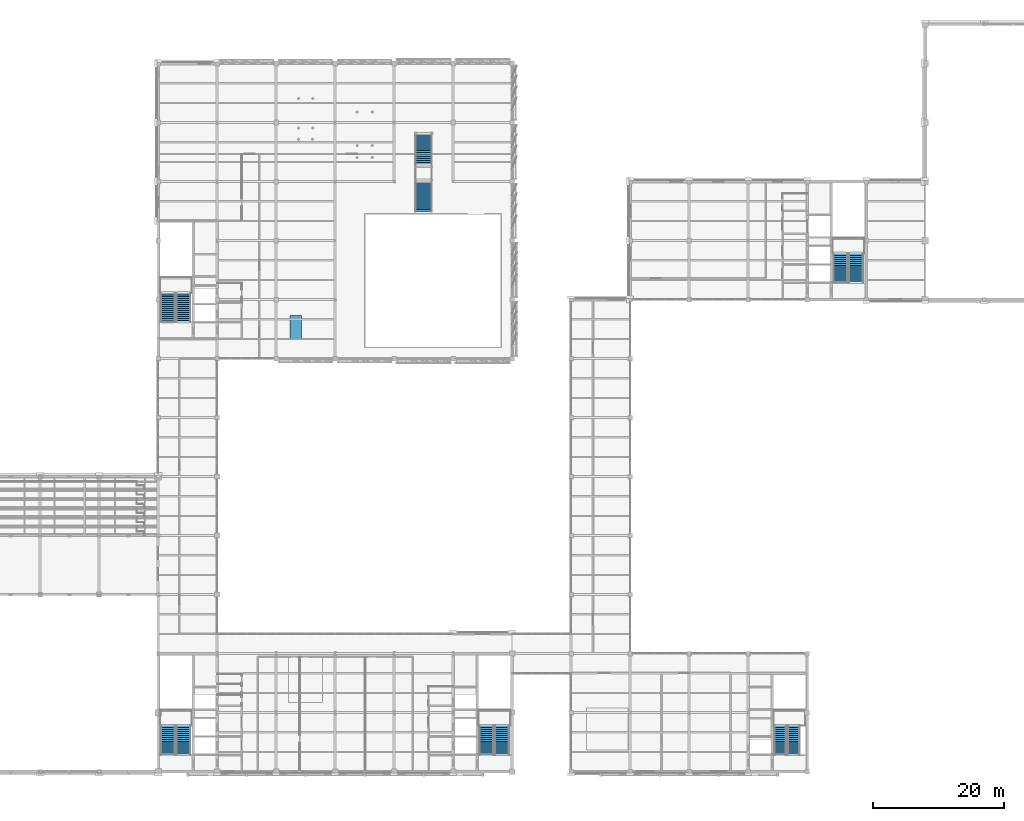
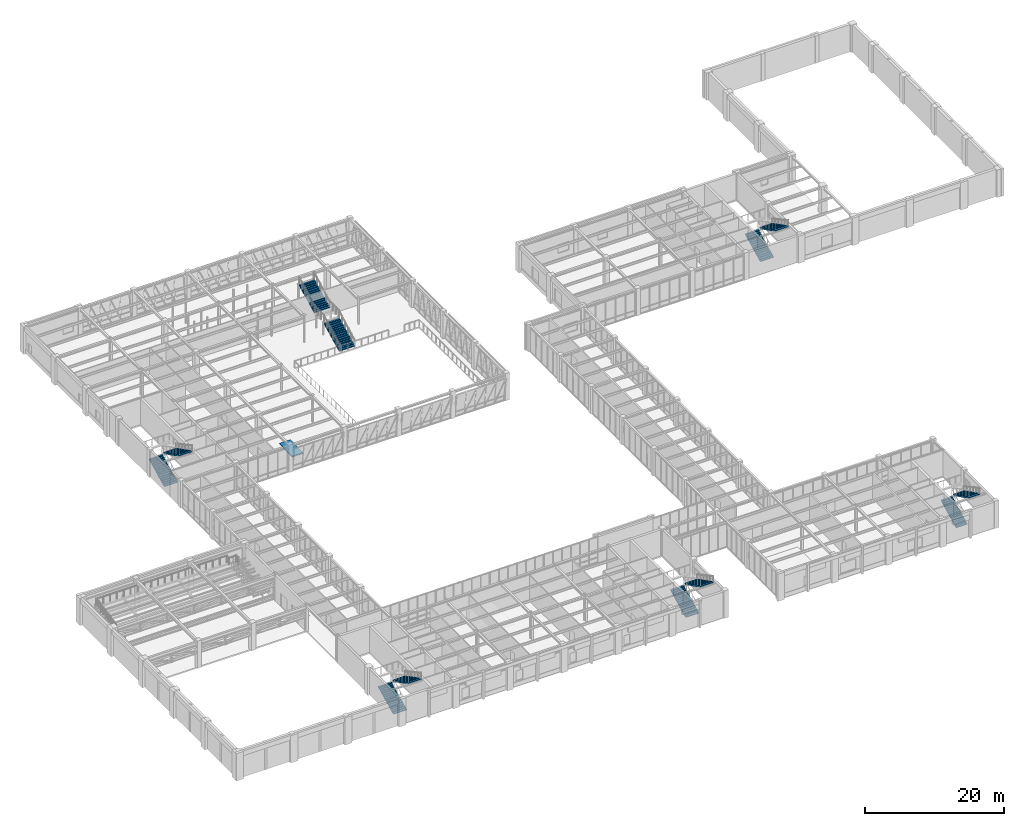
# One storey, part 87 of 92: 12 stair flights, 1 ramp flight, 7 elements without a shape of their own.
"""IFC4 building model written with IfcOpenShell, lengths in metres."""

from ifc_helpers import new_model, si_unit, direction, frame, origin, place, context, subcontext, project, spatial, polyline, outline, extrude, material, layer, layer_set, type_object, element, aggregate, save


model = new_model("IFC4")

# Units and contexts
model_context = context("Model", 3, precision=1e-05, world=origin(), true_north=direction((0.0, 1.0)))
body_context = subcontext(model_context, "Body", "Model", "MODEL_VIEW")
ifc_project = project(units=[si_unit("LENGTHUNIT", "METRE"), si_unit("AREAUNIT", "SQUARE_METRE"), si_unit("VOLUMEUNIT", "CUBIC_METRE"), si_unit("PLANEANGLEUNIT", "RADIAN"), si_unit("MASSUNIT", "GRAM", prefix="KILO")], contexts=[model_context])

# Site, building, storey
site_placement = place(None, origin())
site = spatial("IfcSite", under=ifc_project, at=site_placement, CompositionType="ELEMENT")
building_placement = place(site_placement, origin())
building = spatial("IfcBuilding", under=site, at=building_placement, Name="Lykobir Media Centre", CompositionType="ELEMENT")
storey_placement = place(building_placement, frame((0.0, 0.0, 5.39990234375)))
storey = spatial("IfcBuildingStorey", under=building, at=storey_placement, Name="L01", CompositionType="ELEMENT", Elevation=5.39990234375)

# Stair, stair flights
ifc_material = material(Name="Concrete C30/37", Category="concrete")
stair_type_1 = type_object("IfcStairType", Name="ST-AUX-480", PredefinedType="HALF_TURN_STAIR", material=ifc_material)
stair_1_placement = place(storey_placement, origin())
stair_1 = element("IfcStair", 1, at=stair_1_placement, inside=storey, type_object=stair_type_1, Name="Escape stair ST-5 L01", PredefinedType="HALF_TURN_STAIR")
ifc_layer_1 = layer(ifc_material, 0.159912109375, Name="Concrete C30/37")
ifc_layer_set_1 = layer_set([ifc_layer_1], Name="Concrete C30/37")
stair_flight_type_1 = type_object("IfcStairFlightType", Name="FL-185-16", PredefinedType="STRAIGHT", material=ifc_layer_set_1)
stair_flight_1_placement = place(storey_placement, frame((121.89501953125, 2.530029296875, 0.0), z_axis=(0.0, 0.0, 1.0), x_axis=(0.0, 1.0, 0.0)))
stair_flight_1 = element("IfcStairFlight", 2, at=stair_flight_1_placement, type_object=stair_flight_type_1, Name="ST-5-L01 flight 1", NumberOfRisers=16, NumberOfTreads=15, PredefinedType="STRAIGHT", RiserHeight=0.15, TreadLength=0.3, context=body_context, shape_type="SweptSolid", body=[
    extrude(outline(polyline([(0.0, 0.0), (0.0, 0.14990234375), (0.300048828125, 0.14990234375), (0.300048828125, 0.300048828125), (0.60009765625, 0.300048828125), (0.60009765625, 0.449951171875), (0.89990234375, 0.449951171875), (0.89990234375, 0.60009765625), (1.199951171875, 0.60009765625), (1.199951171875, 0.75), (1.5, 0.75), (1.5, 0.89990234375), (1.800048828125, 0.89990234375), (1.800048828125, 1.050048828125), (2.10009765625, 1.050048828125), (2.10009765625, 1.199951171875), (2.39990234375, 1.199951171875), (2.39990234375, 1.35009765625), (2.699951171875, 1.35009765625), (2.699951171875, 1.5), (3.0, 1.5), (3.0, 1.64990234375), (3.300048828125, 1.64990234375), (3.300048828125, 1.800048828125), (3.60009765625, 1.800048828125), (3.60009765625, 1.949951171875), (3.89990234375, 1.949951171875), (3.89990234375, 2.10009765625), (4.199951171875, 2.10009765625), (4.199951171875, 2.25), (4.5, 2.25), (4.5, 2.39990234375), (4.5, 2.0712890625), (0.357666015625, 0.0), (0.0, 0.0)])), frame((0.0, 0.925048828125, 0.0), z_axis=(0.0, -1.0, 0.0), x_axis=(1.0, 0.0, 0.0)), (0.0, 0.0, 1.0), 1.85009765625),
])
stair_flight_2_placement = place(storey_placement, frame((123.945068359375, 7.030029296875, 2.400146484375), z_axis=(0.0, 0.0, 1.0), x_axis=(0.0, -1.0, 0.0)))
stair_flight_2 = element("IfcStairFlight", 3, at=stair_flight_2_placement, type_object=stair_flight_type_1, Name="ST-5-L01 flight 2", NumberOfRisers=16, NumberOfTreads=15, PredefinedType="STRAIGHT", RiserHeight=0.15, TreadLength=0.3, context=body_context, shape_type="SweptSolid", body=[
    extrude(outline(polyline([(0.0, 0.0), (0.0, 0.14990234375), (0.300048828125, 0.14990234375), (0.300048828125, 0.300048828125), (0.60009765625, 0.300048828125), (0.60009765625, 0.449951171875), (0.89990234375, 0.449951171875), (0.89990234375, 0.60009765625), (1.199951171875, 0.60009765625), (1.199951171875, 0.75), (1.5, 0.75), (1.5, 0.89990234375), (1.800048828125, 0.89990234375), (1.800048828125, 1.050048828125), (2.10009765625, 1.050048828125), (2.10009765625, 1.199951171875), (2.39990234375, 1.199951171875), (2.39990234375, 1.35009765625), (2.699951171875, 1.35009765625), (2.699951171875, 1.5), (3.0, 1.5), (3.0, 1.64990234375), (3.300048828125, 1.64990234375), (3.300048828125, 1.800048828125), (3.60009765625, 1.800048828125), (3.60009765625, 1.949951171875), (3.89990234375, 1.949951171875), (3.89990234375, 2.10009765625), (4.199951171875, 2.10009765625), (4.199951171875, 2.25), (4.5, 2.25), (4.5, 2.39990234375), (4.5, 2.0712890625), (0.357666015625, 0.0), (0.0, 0.0)])), frame((0.0, 0.925048828125, 0.0), z_axis=(0.0, -1.0, 0.0), x_axis=(1.0, 0.0, 0.0)), (0.0, 0.0, 1.0), 1.85009765625),
])
aggregate(stair_1, [stair_flight_1, stair_flight_2])

stair_type_2 = type_object("IfcStairType", Name="ST-HT-480", PredefinedType="HALF_TURN_STAIR", material=ifc_material)
stair_2_placement = place(storey_placement, origin())
stair_2 = element("IfcStair", 4, at=stair_2_placement, inside=storey, type_object=stair_type_2, Name="Escape stair ST-1 L01", PredefinedType="HALF_TURN_STAIR")
ifc_layer_2 = layer(ifc_material, 0.159912109375, Name="Concrete C30/37")
ifc_layer_set_2 = layer_set([ifc_layer_2], Name="Concrete C30/37")
stair_flight_type_2 = type_object("IfcStairFlightType", Name="FL-220-16", PredefinedType="STRAIGHT", material=ifc_layer_set_2)
stair_flight_3_placement = place(storey_placement, frame((28.469970703125, 2.530029296875, 0.0), z_axis=(0.0, 0.0, 1.0), x_axis=(0.0, 1.0, 0.0)))
stair_flight_3 = element("IfcStairFlight", 5, at=stair_flight_3_placement, type_object=stair_flight_type_2, Name="ST-1-L01 flight 1", NumberOfRisers=16, NumberOfTreads=15, PredefinedType="STRAIGHT", RiserHeight=0.15, TreadLength=0.3, context=body_context, shape_type="SweptSolid", body=[
    extrude(outline(polyline([(0.0, 0.0), (0.0, 0.14990234375), (0.300048828125, 0.14990234375), (0.300048828125, 0.300048828125), (0.60009765625, 0.300048828125), (0.60009765625, 0.449951171875), (0.89990234375, 0.449951171875), (0.89990234375, 0.60009765625), (1.199951171875, 0.60009765625), (1.199951171875, 0.75), (1.5, 0.75), (1.5, 0.89990234375), (1.800048828125, 0.89990234375), (1.800048828125, 1.050048828125), (2.10009765625, 1.050048828125), (2.10009765625, 1.199951171875), (2.39990234375, 1.199951171875), (2.39990234375, 1.35009765625), (2.699951171875, 1.35009765625), (2.699951171875, 1.5), (3.0, 1.5), (3.0, 1.64990234375), (3.300048828125, 1.64990234375), (3.300048828125, 1.800048828125), (3.60009765625, 1.800048828125), (3.60009765625, 1.949951171875), (3.89990234375, 1.949951171875), (3.89990234375, 2.10009765625), (4.199951171875, 2.10009765625), (4.199951171875, 2.25), (4.5, 2.25), (4.5, 2.39990234375), (4.5, 2.0712890625), (0.357666015625, 0.0), (0.0, 0.0)])), frame((0.0, 1.10009765625, 0.0), z_axis=(0.0, -1.0, 0.0), x_axis=(1.0, 0.0, 0.0)), (0.0, 0.0, 1.0), 2.199951171875),
])
stair_flight_4_placement = place(storey_placement, frame((30.8701171875, 7.030029296875, 2.400146484375), z_axis=(0.0, 0.0, 1.0), x_axis=(0.0, -1.0, 0.0)))
stair_flight_4 = element("IfcStairFlight", 6, at=stair_flight_4_placement, type_object=stair_flight_type_2, Name="ST-1-L01 flight 2", NumberOfRisers=16, NumberOfTreads=15, PredefinedType="STRAIGHT", RiserHeight=0.15, TreadLength=0.3, context=body_context, shape_type="SweptSolid", body=[
    extrude(outline(polyline([(0.0, 0.0), (0.0, 0.14990234375), (0.300048828125, 0.14990234375), (0.300048828125, 0.300048828125), (0.60009765625, 0.300048828125), (0.60009765625, 0.449951171875), (0.89990234375, 0.449951171875), (0.89990234375, 0.60009765625), (1.199951171875, 0.60009765625), (1.199951171875, 0.75), (1.5, 0.75), (1.5, 0.89990234375), (1.800048828125, 0.89990234375), (1.800048828125, 1.050048828125), (2.10009765625, 1.050048828125), (2.10009765625, 1.199951171875), (2.39990234375, 1.199951171875), (2.39990234375, 1.35009765625), (2.699951171875, 1.35009765625), (2.699951171875, 1.5), (3.0, 1.5), (3.0, 1.64990234375), (3.300048828125, 1.64990234375), (3.300048828125, 1.800048828125), (3.60009765625, 1.800048828125), (3.60009765625, 1.949951171875), (3.89990234375, 1.949951171875), (3.89990234375, 2.10009765625), (4.199951171875, 2.10009765625), (4.199951171875, 2.25), (4.5, 2.25), (4.5, 2.39990234375), (4.5, 2.0712890625), (0.357666015625, 0.0), (0.0, 0.0)])), frame((0.0, 1.10009765625, 0.0), z_axis=(0.0, -1.0, 0.0), x_axis=(1.0, 0.0, 0.0)), (0.0, 0.0, 1.0), 2.199951171875),
])
aggregate(stair_2, [stair_flight_3, stair_flight_4])

stair_3_placement = place(storey_placement, origin())
stair_3 = element("IfcStair", 7, at=stair_3_placement, inside=storey, type_object=stair_type_2, Name="Escape stair ST-2 L01", PredefinedType="HALF_TURN_STAIR")
stair_flight_5_placement = place(storey_placement, frame((77.070068359375, 2.530029296875, 0.0), z_axis=(0.0, 0.0, 1.0), x_axis=(0.0, 1.0, 0.0)))
stair_flight_5 = element("IfcStairFlight", 8, at=stair_flight_5_placement, type_object=stair_flight_type_2, Name="ST-2-L01 flight 1", NumberOfRisers=16, NumberOfTreads=15, PredefinedType="STRAIGHT", RiserHeight=0.15, TreadLength=0.3, context=body_context, shape_type="SweptSolid", body=[
    extrude(outline(polyline([(0.0, 0.0), (0.0, 0.14990234375), (0.300048828125, 0.14990234375), (0.300048828125, 0.300048828125), (0.60009765625, 0.300048828125), (0.60009765625, 0.449951171875), (0.89990234375, 0.449951171875), (0.89990234375, 0.60009765625), (1.199951171875, 0.60009765625), (1.199951171875, 0.75), (1.5, 0.75), (1.5, 0.89990234375), (1.800048828125, 0.89990234375), (1.800048828125, 1.050048828125), (2.10009765625, 1.050048828125), (2.10009765625, 1.199951171875), (2.39990234375, 1.199951171875), (2.39990234375, 1.35009765625), (2.699951171875, 1.35009765625), (2.699951171875, 1.5), (3.0, 1.5), (3.0, 1.64990234375), (3.300048828125, 1.64990234375), (3.300048828125, 1.800048828125), (3.60009765625, 1.800048828125), (3.60009765625, 1.949951171875), (3.89990234375, 1.949951171875), (3.89990234375, 2.10009765625), (4.199951171875, 2.10009765625), (4.199951171875, 2.25), (4.5, 2.25), (4.5, 2.39990234375), (4.5, 2.0712890625), (0.357666015625, 0.0), (0.0, 0.0)])), frame((0.0, 1.10009765625, 0.0), z_axis=(0.0, -1.0, 0.0), x_axis=(1.0, 0.0, 0.0)), (0.0, 0.0, 1.0), 2.199951171875),
])
stair_flight_6_placement = place(storey_placement, frame((79.469970703125, 7.030029296875, 2.400146484375), z_axis=(0.0, 0.0, 1.0), x_axis=(0.0, -1.0, 0.0)))
stair_flight_6 = element("IfcStairFlight", 9, at=stair_flight_6_placement, type_object=stair_flight_type_2, Name="ST-2-L01 flight 2", NumberOfRisers=16, NumberOfTreads=15, PredefinedType="STRAIGHT", RiserHeight=0.15, TreadLength=0.3, context=body_context, shape_type="SweptSolid", body=[
    extrude(outline(polyline([(0.0, 0.0), (0.0, 0.14990234375), (0.300048828125, 0.14990234375), (0.300048828125, 0.300048828125), (0.60009765625, 0.300048828125), (0.60009765625, 0.449951171875), (0.89990234375, 0.449951171875), (0.89990234375, 0.60009765625), (1.199951171875, 0.60009765625), (1.199951171875, 0.75), (1.5, 0.75), (1.5, 0.89990234375), (1.800048828125, 0.89990234375), (1.800048828125, 1.050048828125), (2.10009765625, 1.050048828125), (2.10009765625, 1.199951171875), (2.39990234375, 1.199951171875), (2.39990234375, 1.35009765625), (2.699951171875, 1.35009765625), (2.699951171875, 1.5), (3.0, 1.5), (3.0, 1.64990234375), (3.300048828125, 1.64990234375), (3.300048828125, 1.800048828125), (3.60009765625, 1.800048828125), (3.60009765625, 1.949951171875), (3.89990234375, 1.949951171875), (3.89990234375, 2.10009765625), (4.199951171875, 2.10009765625), (4.199951171875, 2.25), (4.5, 2.25), (4.5, 2.39990234375), (4.5, 2.0712890625), (0.357666015625, 0.0), (0.0, 0.0)])), frame((0.0, 1.10009765625, 0.0), z_axis=(0.0, -1.0, 0.0), x_axis=(1.0, 0.0, 0.0)), (0.0, 0.0, 1.0), 2.199951171875),
])
aggregate(stair_3, [stair_flight_5, stair_flight_6])

stair_4_placement = place(storey_placement, origin())
stair_4 = element("IfcStair", 10, at=stair_4_placement, inside=storey, type_object=stair_type_2, Name="Escape stair ST-3 L01", PredefinedType="HALF_TURN_STAIR")
stair_flight_7_placement = place(storey_placement, frame((28.469970703125, 68.530029296875, 0.0), z_axis=(0.0, 0.0, 1.0), x_axis=(0.0, 1.0, 0.0)))
stair_flight_7 = element("IfcStairFlight", 11, at=stair_flight_7_placement, type_object=stair_flight_type_2, Name="ST-3-L01 flight 1", NumberOfRisers=16, NumberOfTreads=15, PredefinedType="STRAIGHT", RiserHeight=0.15, TreadLength=0.3, context=body_context, shape_type="SweptSolid", body=[
    extrude(outline(polyline([(0.0, 0.0), (0.0, 0.14990234375), (0.300048828125, 0.14990234375), (0.300048828125, 0.300048828125), (0.60009765625, 0.300048828125), (0.60009765625, 0.449951171875), (0.89990234375, 0.449951171875), (0.89990234375, 0.60009765625), (1.199951171875, 0.60009765625), (1.199951171875, 0.75), (1.5, 0.75), (1.5, 0.89990234375), (1.800048828125, 0.89990234375), (1.800048828125, 1.050048828125), (2.10009765625, 1.050048828125), (2.10009765625, 1.199951171875), (2.39990234375, 1.199951171875), (2.39990234375, 1.35009765625), (2.699951171875, 1.35009765625), (2.699951171875, 1.5), (3.0, 1.5), (3.0, 1.64990234375), (3.300048828125, 1.64990234375), (3.300048828125, 1.800048828125), (3.60009765625, 1.800048828125), (3.60009765625, 1.949951171875), (3.89990234375, 1.949951171875), (3.89990234375, 2.10009765625), (4.199951171875, 2.10009765625), (4.199951171875, 2.25), (4.5, 2.25), (4.5, 2.39990234375), (4.5, 2.0712890625), (0.357666015625, 0.0), (0.0, 0.0)])), frame((0.0, 1.10009765625, 0.0), z_axis=(0.0, -1.0, 0.0), x_axis=(1.0, 0.0, 0.0)), (0.0, 0.0, 1.0), 2.199951171875),
])
stair_flight_8_placement = place(storey_placement, frame((30.8701171875, 73.030029296875, 2.400146484375), z_axis=(0.0, 0.0, 1.0), x_axis=(0.0, -1.0, 0.0)))
stair_flight_8 = element("IfcStairFlight", 12, at=stair_flight_8_placement, type_object=stair_flight_type_2, Name="ST-3-L01 flight 2", NumberOfRisers=16, NumberOfTreads=15, PredefinedType="STRAIGHT", RiserHeight=0.15, TreadLength=0.3, context=body_context, shape_type="SweptSolid", body=[
    extrude(outline(polyline([(0.0, 0.0), (0.0, 0.14990234375), (0.300048828125, 0.14990234375), (0.300048828125, 0.300048828125), (0.60009765625, 0.300048828125), (0.60009765625, 0.449951171875), (0.89990234375, 0.449951171875), (0.89990234375, 0.60009765625), (1.199951171875, 0.60009765625), (1.199951171875, 0.75), (1.5, 0.75), (1.5, 0.89990234375), (1.800048828125, 0.89990234375), (1.800048828125, 1.050048828125), (2.10009765625, 1.050048828125), (2.10009765625, 1.199951171875), (2.39990234375, 1.199951171875), (2.39990234375, 1.35009765625), (2.699951171875, 1.35009765625), (2.699951171875, 1.5), (3.0, 1.5), (3.0, 1.64990234375), (3.300048828125, 1.64990234375), (3.300048828125, 1.800048828125), (3.60009765625, 1.800048828125), (3.60009765625, 1.949951171875), (3.89990234375, 1.949951171875), (3.89990234375, 2.10009765625), (4.199951171875, 2.10009765625), (4.199951171875, 2.25), (4.5, 2.25), (4.5, 2.39990234375), (4.5, 2.0712890625), (0.357666015625, 0.0), (0.0, 0.0)])), frame((0.0, 1.10009765625, 0.0), z_axis=(0.0, -1.0, 0.0), x_axis=(1.0, 0.0, 0.0)), (0.0, 0.0, 1.0), 2.199951171875),
])
aggregate(stair_4, [stair_flight_7, stair_flight_8])

stair_5_placement = place(storey_placement, origin())
stair_5 = element("IfcStair", 13, at=stair_5_placement, inside=storey, type_object=stair_type_2, Name="Escape stair ST-4 L01", PredefinedType="HALF_TURN_STAIR")
stair_flight_9_placement = place(storey_placement, frame((131.070068359375, 74.530029296875, 0.0), z_axis=(0.0, 0.0, 1.0), x_axis=(0.0, 1.0, 0.0)))
stair_flight_9 = element("IfcStairFlight", 14, at=stair_flight_9_placement, type_object=stair_flight_type_2, Name="ST-4-L01 flight 1", NumberOfRisers=16, NumberOfTreads=15, PredefinedType="STRAIGHT", RiserHeight=0.15, TreadLength=0.3, context=body_context, shape_type="SweptSolid", body=[
    extrude(outline(polyline([(0.0, 0.0), (0.0, 0.14990234375), (0.300048828125, 0.14990234375), (0.300048828125, 0.300048828125), (0.60009765625, 0.300048828125), (0.60009765625, 0.449951171875), (0.89990234375, 0.449951171875), (0.89990234375, 0.60009765625), (1.199951171875, 0.60009765625), (1.199951171875, 0.75), (1.5, 0.75), (1.5, 0.89990234375), (1.800048828125, 0.89990234375), (1.800048828125, 1.050048828125), (2.10009765625, 1.050048828125), (2.10009765625, 1.199951171875), (2.39990234375, 1.199951171875), (2.39990234375, 1.35009765625), (2.699951171875, 1.35009765625), (2.699951171875, 1.5), (3.0, 1.5), (3.0, 1.64990234375), (3.300048828125, 1.64990234375), (3.300048828125, 1.800048828125), (3.60009765625, 1.800048828125), (3.60009765625, 1.949951171875), (3.89990234375, 1.949951171875), (3.89990234375, 2.10009765625), (4.199951171875, 2.10009765625), (4.199951171875, 2.25), (4.5, 2.25), (4.5, 2.39990234375), (4.5, 2.0712890625), (0.357666015625, 0.0), (0.0, 0.0)])), frame((0.0, 1.10009765625, 0.0), z_axis=(0.0, -1.0, 0.0), x_axis=(1.0, 0.0, 0.0)), (0.0, 0.0, 1.0), 2.199951171875),
])
stair_flight_10_placement = place(storey_placement, frame((133.469970703125, 79.030029296875, 2.400146484375), z_axis=(0.0, 0.0, 1.0), x_axis=(0.0, -1.0, 0.0)))
stair_flight_10 = element("IfcStairFlight", 15, at=stair_flight_10_placement, type_object=stair_flight_type_2, Name="ST-4-L01 flight 2", NumberOfRisers=16, NumberOfTreads=15, PredefinedType="STRAIGHT", RiserHeight=0.15, TreadLength=0.3, context=body_context, shape_type="SweptSolid", body=[
    extrude(outline(polyline([(0.0, 0.0), (0.0, 0.14990234375), (0.300048828125, 0.14990234375), (0.300048828125, 0.300048828125), (0.60009765625, 0.300048828125), (0.60009765625, 0.449951171875), (0.89990234375, 0.449951171875), (0.89990234375, 0.60009765625), (1.199951171875, 0.60009765625), (1.199951171875, 0.75), (1.5, 0.75), (1.5, 0.89990234375), (1.800048828125, 0.89990234375), (1.800048828125, 1.050048828125), (2.10009765625, 1.050048828125), (2.10009765625, 1.199951171875), (2.39990234375, 1.199951171875), (2.39990234375, 1.35009765625), (2.699951171875, 1.35009765625), (2.699951171875, 1.5), (3.0, 1.5), (3.0, 1.64990234375), (3.300048828125, 1.64990234375), (3.300048828125, 1.800048828125), (3.60009765625, 1.800048828125), (3.60009765625, 1.949951171875), (3.89990234375, 1.949951171875), (3.89990234375, 2.10009765625), (4.199951171875, 2.10009765625), (4.199951171875, 2.25), (4.5, 2.25), (4.5, 2.39990234375), (4.5, 2.0712890625), (0.357666015625, 0.0), (0.0, 0.0)])), frame((0.0, 1.10009765625, 0.0), z_axis=(0.0, -1.0, 0.0), x_axis=(1.0, 0.0, 0.0)), (0.0, 0.0, 1.0), 2.199951171875),
])
aggregate(stair_5, [stair_flight_9, stair_flight_10])

stair_type_3 = type_object("IfcStairType", Name="ST-VAL-2", PredefinedType="STRAIGHT_RUN_STAIR", material=ifc_material)
stair_6_placement = place(storey_placement, origin())
stair_6 = element("IfcStair", 16, at=stair_6_placement, inside=storey, type_object=stair_type_3, Name="Valley terrace feature stair 2", PredefinedType="STRAIGHT_RUN_STAIR")
ifc_layer_3 = layer(ifc_material, 0.179931640625, Name="Concrete C30/37")
ifc_layer_set_3 = layer_set([ifc_layer_3], Name="Concrete C30/37")
stair_flight_type_3 = type_object("IfcStairFlightType", Name="FL-VAL-255", PredefinedType="STRAIGHT", material=ifc_layer_set_3)
stair_flight_11_placement = place(storey_placement, frame((67.5, 85.39990234375, 0.0), z_axis=(0.0, 0.0, 1.0), x_axis=(0.0, 1.0, 0.0)))
stair_flight_11 = element("IfcStairFlight", 17, at=stair_flight_11_placement, type_object=stair_flight_type_3, Name="ST-VAL-2 flight 1", NumberOfRisers=16, NumberOfTreads=15, PredefinedType="STRAIGHT", RiserHeight=0.15, TreadLength=0.3, context=body_context, shape_type="SweptSolid", body=[
    extrude(outline(polyline([(0.0, 0.0), (0.0, 0.14990234375), (0.300048828125, 0.14990234375), (0.300048828125, 0.300048828125), (0.60009765625, 0.300048828125), (0.60009765625, 0.449951171875), (0.89990234375, 0.449951171875), (0.89990234375, 0.60009765625), (1.199951171875, 0.60009765625), (1.199951171875, 0.75), (1.5, 0.75), (1.5, 0.89990234375), (1.800048828125, 0.89990234375), (1.800048828125, 1.050048828125), (2.10009765625, 1.050048828125), (2.10009765625, 1.199951171875), (2.39990234375, 1.199951171875), (2.39990234375, 1.35009765625), (2.699951171875, 1.35009765625), (2.699951171875, 1.5), (3.0, 1.5), (3.0, 1.64990234375), (3.300048828125, 1.64990234375), (3.300048828125, 1.800048828125), (3.60009765625, 1.800048828125), (3.60009765625, 1.949951171875), (3.89990234375, 1.949951171875), (3.89990234375, 2.10009765625), (4.199951171875, 2.10009765625), (4.199951171875, 2.25), (4.5, 2.25), (4.5, 2.39990234375), (4.5, 2.048828125), (0.40234375, 0.0), (0.0, 0.0)])), frame((0.0, 1.27490234375, 0.0), z_axis=(0.0, -1.0, 0.0), x_axis=(1.0, 0.0, 0.0)), (0.0, 0.0, 1.0), 2.550048828125),
])
stair_flight_12_placement = place(storey_placement, frame((67.5, 92.60009765625, 2.400146484375), z_axis=(0.0, 0.0, 1.0), x_axis=(0.0, 1.0, 0.0)))
stair_flight_12 = element("IfcStairFlight", 18, at=stair_flight_12_placement, type_object=stair_flight_type_3, Name="ST-VAL-2 flight 2", NumberOfRisers=16, NumberOfTreads=15, PredefinedType="STRAIGHT", RiserHeight=0.15, TreadLength=0.3, context=body_context, shape_type="SweptSolid", body=[
    extrude(outline(polyline([(0.0, 0.0), (0.0, 0.14990234375), (0.300048828125, 0.14990234375), (0.300048828125, 0.300048828125), (0.60009765625, 0.300048828125), (0.60009765625, 0.449951171875), (0.89990234375, 0.449951171875), (0.89990234375, 0.60009765625), (1.199951171875, 0.60009765625), (1.199951171875, 0.75), (1.5, 0.75), (1.5, 0.89990234375), (1.800048828125, 0.89990234375), (1.800048828125, 1.050048828125), (2.10009765625, 1.050048828125), (2.10009765625, 1.199951171875), (2.39990234375, 1.199951171875), (2.39990234375, 1.35009765625), (2.699951171875, 1.35009765625), (2.699951171875, 1.5), (3.0, 1.5), (3.0, 1.64990234375), (3.300048828125, 1.64990234375), (3.300048828125, 1.800048828125), (3.60009765625, 1.800048828125), (3.60009765625, 1.949951171875), (3.89990234375, 1.949951171875), (3.89990234375, 2.10009765625), (4.199951171875, 2.10009765625), (4.199951171875, 2.25), (4.5, 2.25), (4.5, 2.39990234375), (4.5, 2.048828125), (0.40234375, 0.0), (0.0, 0.0)])), frame((0.0, 1.27490234375, 0.0), z_axis=(0.0, -1.0, 0.0), x_axis=(1.0, 0.0, 0.0)), (0.0, 0.0, 1.0), 2.550048828125),
])
aggregate(stair_6, [stair_flight_11, stair_flight_12])

# Ramp, ramp flight
ramp_type = type_object("IfcRampType", Name="RMP-ACC", PredefinedType="STRAIGHT_RUN_RAMP", material=ifc_material)
ramp_placement = place(storey_placement, origin())
ramp = element("IfcRamp", 19, at=ramp_placement, inside=storey, type_object=ramp_type, Name="Accessible concourse ramp 3", PredefinedType="STRAIGHT_RUN_RAMP")
ifc_layer_4 = layer(ifc_material, 0.199951171875, Name="Concrete C30/37")
ifc_layer_set_4 = layer_set([ifc_layer_4], Name="Concrete C30/37")
ramp_flight_type = type_object("IfcRampFlightType", Name="RFL-ACC-200", PredefinedType="STRAIGHT", material=ifc_layer_set_4)
ramp_flight_placement = place(storey_placement, frame((48.0, 66.0, 0.0), z_axis=(0.0, 0.0, 1.0), x_axis=(0.0, 1.0, 0.0)))
ramp_flight = element("IfcRampFlight", 20, at=ramp_flight_placement, type_object=ramp_flight_type, Name="Accessible concourse ramp flight 3", PredefinedType="STRAIGHT", context=body_context, shape_type="SweptSolid", body=[
    extrude(outline(polyline([(0.0, 0.0), (3.60009765625, 0.1201171875), (3.60009765625, -0.079833984375), (0.0, -0.199951171875), (0.0, 0.0)])), frame((0.0, 0.89990234375, 0.0), z_axis=(0.0, -1.0, 0.0), x_axis=(1.0, 0.0, 0.0)), (0.0, 0.0, 1.0), 1.800048828125),
])
aggregate(ramp, [ramp_flight])

save(model, "model.ifc")
